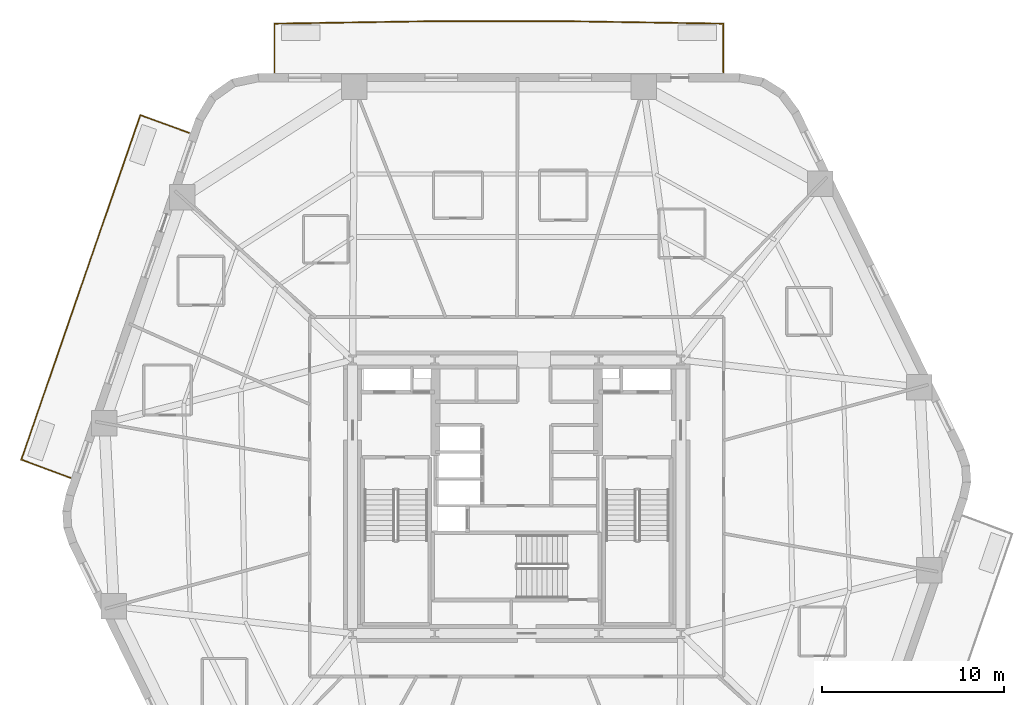
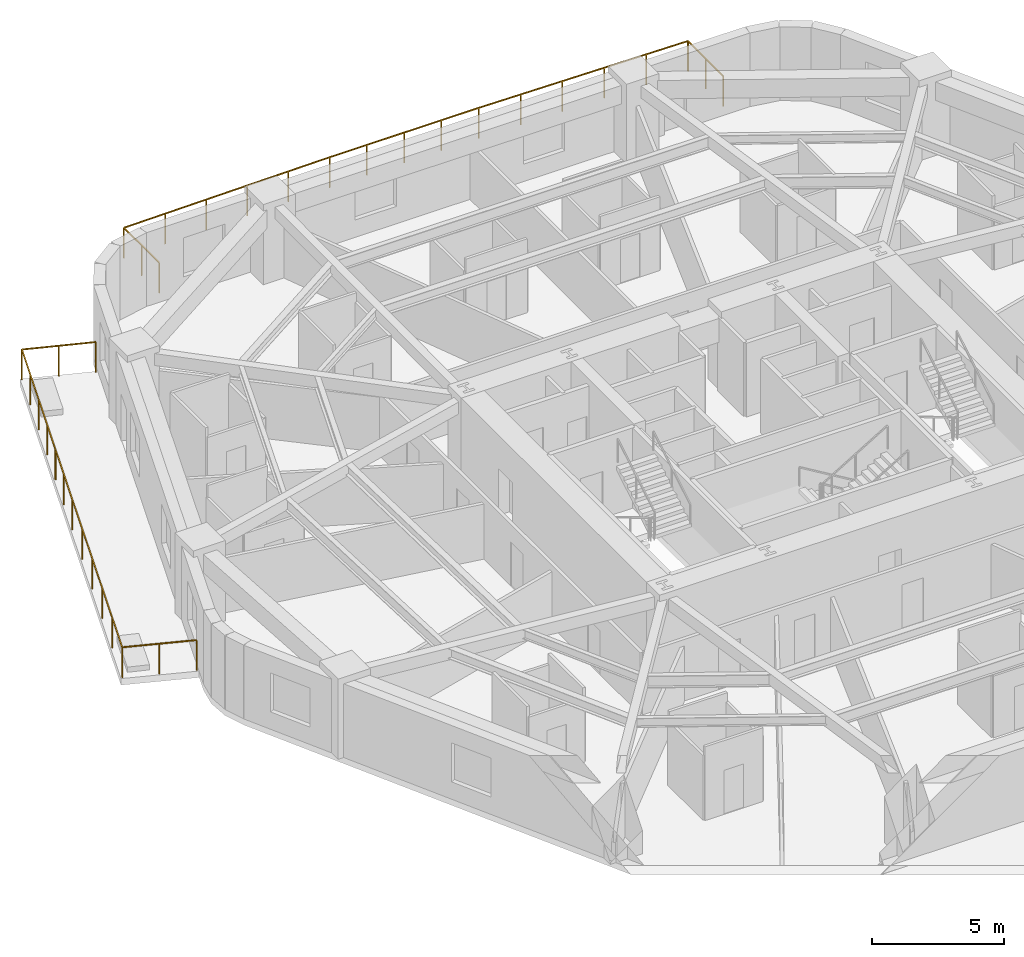
# One storey, part 10 of 10: 2 railings.
"""IFC4 building model written with IfcOpenShell, lengths in metres."""

from ifc_helpers import new_model, si_unit, direction, frame, origin, origin_2d, place, context, subcontext, project, spatial, rectangle, extrude, material, layer, layer_set, type_object, element, save


model = new_model("IFC4")

# Units and contexts
model_context = context("Model", 3, precision=1e-05, world=origin(), true_north=direction((0.0, 1.0)))
body_context = subcontext(model_context, "Body", "Model", "MODEL_VIEW")
ifc_project = project(units=[si_unit("LENGTHUNIT", "METRE"), si_unit("AREAUNIT", "SQUARE_METRE"), si_unit("VOLUMEUNIT", "CUBIC_METRE"), si_unit("PLANEANGLEUNIT", "RADIAN"), si_unit("MASSUNIT", "GRAM", prefix="KILO")], contexts=[model_context])

# Site, building, storey
site_placement = place(None, origin())
site = spatial("IfcSite", under=ifc_project, at=site_placement, CompositionType="ELEMENT")
building_placement = place(site_placement, origin())
building = spatial("IfcBuilding", under=site, at=building_placement, Name="Kilnhurst Terrace Hotel", CompositionType="ELEMENT")
storey_placement = place(building_placement, frame((0.0, 0.0, 71.199951171875)))
storey = spatial("IfcBuildingStorey", under=building, at=storey_placement, Name="L16", CompositionType="ELEMENT", Elevation=71.199951171875)

# Railings
ifc_material = material(Name="Laminated SentryGlas and Stainless Steel AISI 316L Balustrade", Category="steel")
ifc_layer = layer(ifc_material, 0.070068359375, Name="Laminated SentryGlas and Stainless Steel AISI 316L Balustrade")
ifc_layer_set = layer_set([ifc_layer], Name="Laminated SentryGlas and Stainless Steel AISI 316L Balustrade")
railing_type = type_object("IfcRailingType", Name="RLG-BAL-1420", PredefinedType="BALUSTRADE", material=ifc_layer_set)
railing_1_placement = place(storey_placement, frame((-13.281494140625, 23.280029296875, 0.0)))
element("IfcRailing", 1, at=railing_1_placement, inside=storey, type_object=railing_type, Name="L16 Exterior Terrace Guardrail BAL-L2A.1", PredefinedType="BALUSTRADE", context=body_context, shape_type="SweptSolid", body=[
    extrude(rectangle(XDim=0.048095703125, YDim=0.048095703125, at=origin_2d()), frame((0.0, 0.0, 1.39599609375), z_axis=(0.0, 1.0, 0.0), x_axis=(-1.0, 0.0, 0.0)), (0.0, 0.0, 1.0), 2.660888671875),
    extrude(rectangle(XDim=0.048095703125, YDim=0.048095703125, at=origin_2d()), frame((0.0, 2.660888671875, 1.39599609375), z_axis=(0.999881869157, 0.015370352358, 0.0), x_axis=(-0.015370352358, 0.999881869157, 0.0)), (0.0, 0.0, 1.0), 9.0537109375),
    extrude(rectangle(XDim=0.048095703125, YDim=0.048095703125, at=origin_2d()), frame((9.052734375, 2.800048828125, 1.39599609375), z_axis=(1.0, 0.0, 0.0), x_axis=(0.0, 1.0, 0.0)), (0.0, 0.0, 1.0), 6.508056640625),
    extrude(rectangle(XDim=0.048095703125, YDim=0.048095703125, at=origin_2d()), frame((15.560791015625, 2.800048828125, 1.39599609375), z_axis=(0.999881869157, -0.015370352358, 0.0), x_axis=(0.015370352358, 0.999881869157, 0.0)), (0.0, 0.0, 1.0), 9.0537109375),
    extrude(rectangle(XDim=0.048095703125, YDim=0.048095703125, at=origin_2d()), frame((24.613525390625, 2.660888671875, 1.39599609375), z_axis=(0.0, -1.0, 0.0), x_axis=(1.0, 0.0, 0.0)), (0.0, 0.0, 1.0), 2.660888671875),
    extrude(rectangle(XDim=0.0419921875, YDim=0.0419921875, at=origin_2d()), origin(), (0.0, 0.0, 1.0), 1.371826171875),
    extrude(rectangle(XDim=0.0419921875, YDim=0.0419921875, at=origin_2d()), frame((0.0, 1.33056640625, 0.0)), (0.0, 0.0, 1.0), 1.371826171875),
    extrude(rectangle(XDim=0.0419921875, YDim=0.0419921875, at=origin_2d()), frame((0.0, 2.660888671875, 0.0)), (0.0, 0.0, 1.0), 1.371826171875),
    extrude(rectangle(XDim=0.0419921875, YDim=0.0419921875, at=origin_2d()), frame((1.810546875, 2.688720703125, 0.0)), (0.0, 0.0, 1.0), 1.371826171875),
    extrude(rectangle(XDim=0.0419921875, YDim=0.0419921875, at=origin_2d()), frame((3.62109375, 2.716552734375, 0.0)), (0.0, 0.0, 1.0), 1.371826171875),
    extrude(rectangle(XDim=0.0419921875, YDim=0.0419921875, at=origin_2d()), frame((5.431640625, 2.744384765625, 0.0)), (0.0, 0.0, 1.0), 1.371826171875),
    extrude(rectangle(XDim=0.0419921875, YDim=0.0419921875, at=origin_2d()), frame((7.2421875, 2.772216796875, 0.0)), (0.0, 0.0, 1.0), 1.371826171875),
    extrude(rectangle(XDim=0.0419921875, YDim=0.0419921875, at=origin_2d()), frame((9.052734375, 2.800048828125, 0.0)), (0.0, 0.0, 1.0), 1.371826171875),
    extrude(rectangle(XDim=0.0419921875, YDim=0.0419921875, at=origin_2d()), frame((10.6796875, 2.800048828125, 0.0)), (0.0, 0.0, 1.0), 1.371826171875),
    extrude(rectangle(XDim=0.0419921875, YDim=0.0419921875, at=origin_2d()), frame((12.306640625, 2.800048828125, 0.0)), (0.0, 0.0, 1.0), 1.371826171875),
    extrude(rectangle(XDim=0.0419921875, YDim=0.0419921875, at=origin_2d()), frame((13.933837890625, 2.800048828125, 0.0)), (0.0, 0.0, 1.0), 1.371826171875),
    extrude(rectangle(XDim=0.0419921875, YDim=0.0419921875, at=origin_2d()), frame((15.560791015625, 2.800048828125, 0.0)), (0.0, 0.0, 1.0), 1.371826171875),
    extrude(rectangle(XDim=0.0419921875, YDim=0.0419921875, at=origin_2d()), frame((17.371337890625, 2.772216796875, 0.0)), (0.0, 0.0, 1.0), 1.371826171875),
    extrude(rectangle(XDim=0.0419921875, YDim=0.0419921875, at=origin_2d()), frame((19.181884765625, 2.744384765625, 0.0)), (0.0, 0.0, 1.0), 1.371826171875),
    extrude(rectangle(XDim=0.0419921875, YDim=0.0419921875, at=origin_2d()), frame((20.992431640625, 2.716552734375, 0.0)), (0.0, 0.0, 1.0), 1.371826171875),
    extrude(rectangle(XDim=0.0419921875, YDim=0.0419921875, at=origin_2d()), frame((22.802978515625, 2.688720703125, 0.0)), (0.0, 0.0, 1.0), 1.371826171875),
    extrude(rectangle(XDim=0.0419921875, YDim=0.0419921875, at=origin_2d()), frame((24.613525390625, 2.660888671875, 0.0)), (0.0, 0.0, 1.0), 1.371826171875),
    extrude(rectangle(XDim=0.0419921875, YDim=0.0419921875, at=origin_2d()), frame((24.613525390625, 1.33056640625, 0.0)), (0.0, 0.0, 1.0), 1.371826171875),
    extrude(rectangle(XDim=0.0419921875, YDim=0.0419921875, at=origin_2d()), frame((24.613525390625, 0.0, 0.0)), (0.0, 0.0, 1.0), 1.371826171875),
])
railing_2_placement = place(storey_placement, frame((-24.485107421875, 1.041748046875, 0.0)))
element("IfcRailing", 2, at=railing_2_placement, inside=storey, type_object=railing_type, Name="L16 Exterior Terrace Guardrail BAL-L2B.1", PredefinedType="BALUSTRADE", context=body_context, shape_type="SweptSolid", body=[
    extrude(rectangle(XDim=0.048095703125, YDim=0.048095703125, at=origin_2d()), frame((0.0, 0.0, 1.39599609375), z_axis=(-0.937279097592, 0.348579823308, 0.0), x_axis=(-0.348579823308, -0.937279097592, 0.0)), (0.0, 0.0, 1.0), 2.85205078125),
    extrude(rectangle(XDim=0.048095703125, YDim=0.048095703125, at=origin_2d()), frame((-2.673095703125, 0.994140625, 1.39599609375), z_axis=(0.326159116329, 0.945314884488, 0.0), x_axis=(-0.945314884488, 0.326159116329, 0.0)), (0.0, 0.0, 1.0), 9.91650390625),
    extrude(rectangle(XDim=0.048095703125, YDim=0.048095703125, at=origin_2d()), frame((0.561279296875, 10.368408203125, 1.39599609375), z_axis=(0.326903959129, 0.945057565181, 0.0), x_axis=(-0.945057565181, 0.326903959129, 0.0)), (0.0, 0.0, 1.0), 10.065673828125),
    extrude(rectangle(XDim=0.048095703125, YDim=0.048095703125, at=origin_2d()), frame((3.851806640625, 19.881103515625, 1.39599609375), z_axis=(0.939926315563, -0.341377388402, 0.0), x_axis=(0.341377388402, 0.939926315563, 0.0)), (0.0, 0.0, 1.0), 2.84130859375),
    extrude(rectangle(XDim=0.0419921875, YDim=0.0419921875, at=origin_2d()), origin(), (0.0, 0.0, 1.0), 1.371826171875),
    extrude(rectangle(XDim=0.0419921875, YDim=0.0419921875, at=origin_2d()), frame((-1.33642578125, 0.4970703125, 0.0)), (0.0, 0.0, 1.0), 1.371826171875),
    extrude(rectangle(XDim=0.0419921875, YDim=0.0419921875, at=origin_2d()), frame((-2.673095703125, 0.994140625, 0.0)), (0.0, 0.0, 1.0), 1.371826171875),
    extrude(rectangle(XDim=0.0419921875, YDim=0.0419921875, at=origin_2d()), frame((-2.026123046875, 2.868896484375, 0.0)), (0.0, 0.0, 1.0), 1.371826171875),
    extrude(rectangle(XDim=0.0419921875, YDim=0.0419921875, at=origin_2d()), frame((-1.37939453125, 4.743896484375, 0.0)), (0.0, 0.0, 1.0), 1.371826171875),
    extrude(rectangle(XDim=0.0419921875, YDim=0.0419921875, at=origin_2d()), frame((-0.732421875, 6.61865234375, 0.0)), (0.0, 0.0, 1.0), 1.371826171875),
    extrude(rectangle(XDim=0.0419921875, YDim=0.0419921875, at=origin_2d()), frame((-0.085693359375, 8.49365234375, 0.0)), (0.0, 0.0, 1.0), 1.371826171875),
    extrude(rectangle(XDim=0.0419921875, YDim=0.0419921875, at=origin_2d()), frame((0.561279296875, 10.368408203125, 0.0)), (0.0, 0.0, 1.0), 1.371826171875),
    extrude(rectangle(XDim=0.0419921875, YDim=0.0419921875, at=origin_2d()), frame((1.109619140625, 11.953857421875, 0.0)), (0.0, 0.0, 1.0), 1.371826171875),
    extrude(rectangle(XDim=0.0419921875, YDim=0.0419921875, at=origin_2d()), frame((1.658203125, 13.539306640625, 0.0)), (0.0, 0.0, 1.0), 1.371826171875),
    extrude(rectangle(XDim=0.0419921875, YDim=0.0419921875, at=origin_2d()), frame((2.20654296875, 15.124755859375, 0.0)), (0.0, 0.0, 1.0), 1.371826171875),
    extrude(rectangle(XDim=0.0419921875, YDim=0.0419921875, at=origin_2d()), frame((2.7548828125, 16.710205078125, 0.0)), (0.0, 0.0, 1.0), 1.371826171875),
    extrude(rectangle(XDim=0.0419921875, YDim=0.0419921875, at=origin_2d()), frame((3.303466796875, 18.295654296875, 0.0)), (0.0, 0.0, 1.0), 1.371826171875),
    extrude(rectangle(XDim=0.0419921875, YDim=0.0419921875, at=origin_2d()), frame((3.851806640625, 19.881103515625, 0.0)), (0.0, 0.0, 1.0), 1.371826171875),
    extrude(rectangle(XDim=0.0419921875, YDim=0.0419921875, at=origin_2d()), frame((5.18701171875, 19.39599609375, 0.0)), (0.0, 0.0, 1.0), 1.371826171875),
    extrude(rectangle(XDim=0.0419921875, YDim=0.0419921875, at=origin_2d()), frame((6.5224609375, 18.9111328125, 0.0)), (0.0, 0.0, 1.0), 1.371826171875),
])

save(model, "model.ifc")
